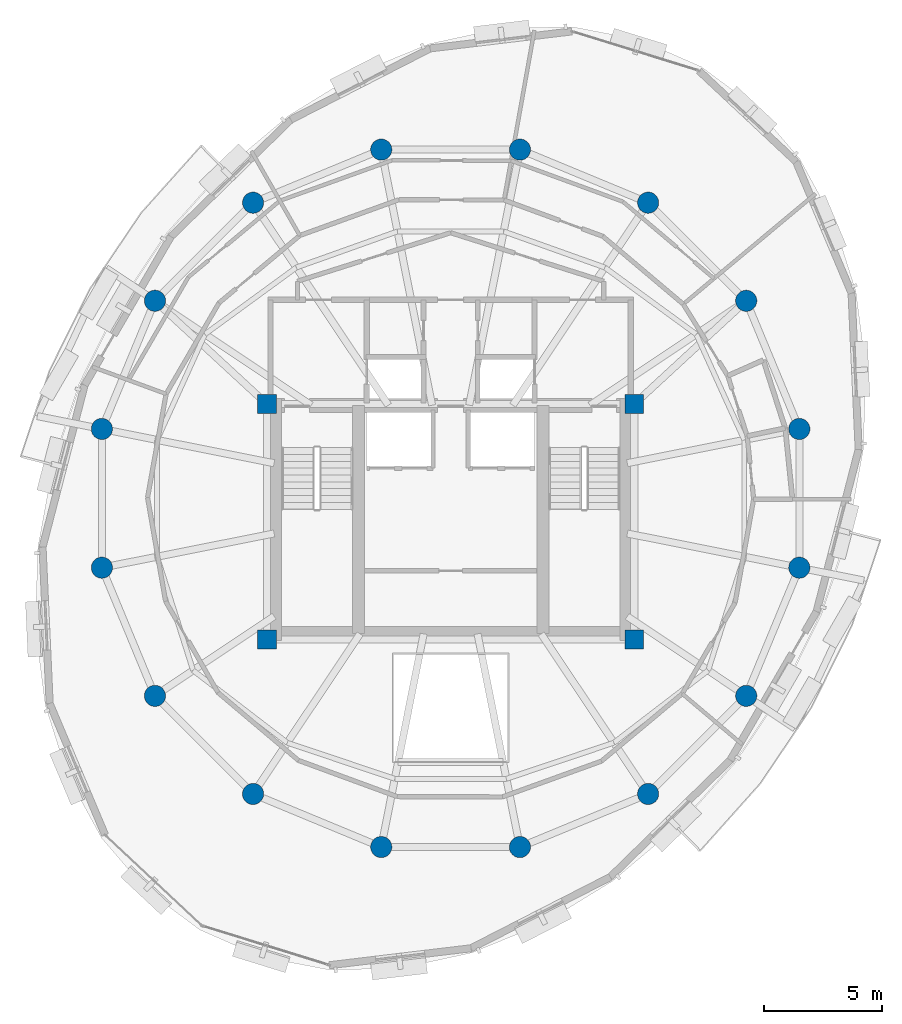
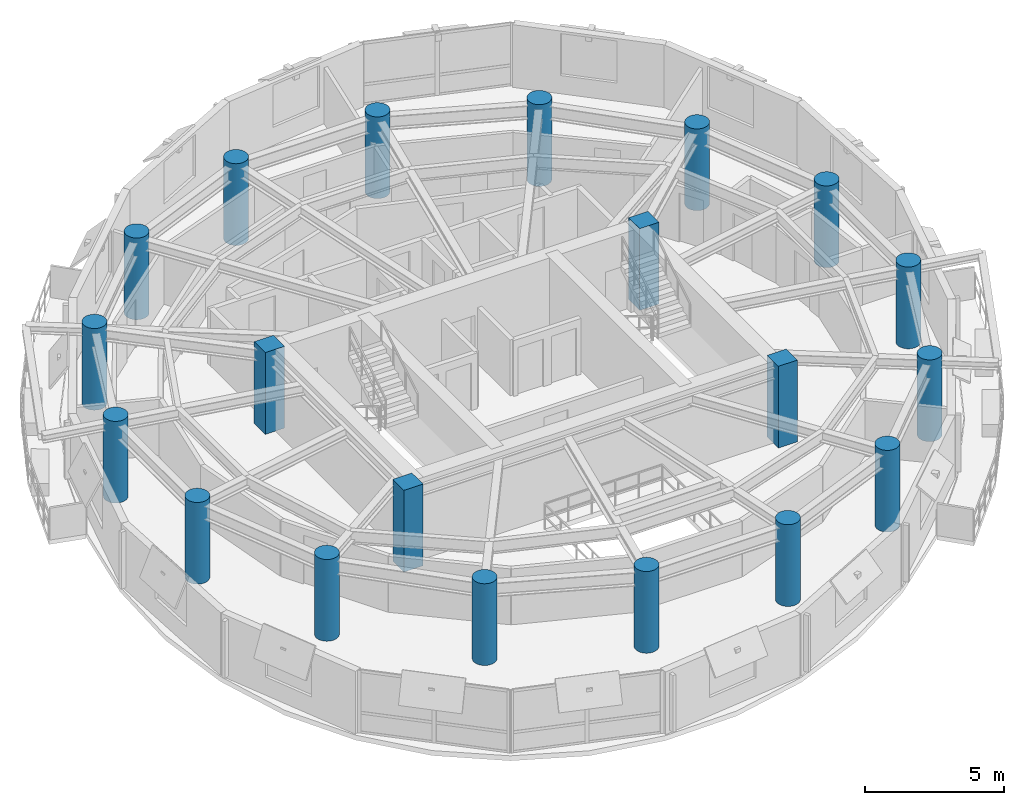
# One storey, part 1 of 11: 20 columns.
"""IFC4 building model written with IfcOpenShell, lengths in metres."""

from ifc_helpers import new_model, si_unit, direction, frame, origin, origin_2d, place, context, subcontext, project, spatial, rectangle, circle, extrude, material, material_profile, profile_set, type_object, element, save


model = new_model("IFC4")

# Units and contexts
model_context = context("Model", 3, precision=1e-05, world=origin(), true_north=direction((0.0, 1.0)))
body_context = subcontext(model_context, "Body", "Model", "MODEL_VIEW")
ifc_project = project(units=[si_unit("LENGTHUNIT", "METRE"), si_unit("AREAUNIT", "SQUARE_METRE"), si_unit("VOLUMEUNIT", "CUBIC_METRE"), si_unit("PLANEANGLEUNIT", "RADIAN"), si_unit("MASSUNIT", "GRAM", prefix="KILO"), si_unit("THERMODYNAMICTEMPERATUREUNIT", "KELVIN"), si_unit("POWERUNIT", "WATT")], contexts=[model_context])

# Site, building, storey
site_placement = place(None, origin())
site = spatial("IfcSite", under=ifc_project, at=site_placement, CompositionType="ELEMENT")
building_placement = place(site_placement, origin())
building = spatial("IfcBuilding", under=site, at=building_placement, Name="Ocrelia Relay Tower", CompositionType="ELEMENT")
storey_placement = place(building_placement, frame((0.0, 0.0, 277.199951171875)))
storey = spatial("IfcBuildingStorey", under=building, at=storey_placement, Name="L69", CompositionType="ELEMENT", Elevation=277.199951171875)

# Columns
ifc_material_1 = material(Name="Concrete C50/60", Category="concrete")
ifc_material_profile_1 = material_profile(ifc_material_1, circle(Radius=0.449951171875, at=origin_2d()), Name="RC-CIR-900")
ifc_profile_set_1 = profile_set([ifc_material_profile_1], Name="Concrete C50/60")
column_type_1 = type_object("IfcColumnType", Name="COL-CT-900", PredefinedType="COLUMN", material=ifc_profile_set_1)
for number, where, z_axis, x_axis, name in (
    (1, (48.809814453125, 28.94580078125, 0.0), (0.0, 0.0, 1.0), (1.0, 0.0, 0.0), "L69 Perimeter Ring Column C01"),
    (2, (46.55517578125, 34.38916015625, 0.0), (0.0, 0.0, 1.0), (1.0, 0.0, 0.0), "L69 Perimeter Ring Column C02"),
    (3, (42.38916015625, 38.55517578125, 0.0), (0.0, 0.0, 1.0), (1.0, 0.0, 0.0), "L69 Perimeter Ring Column C03"),
    (4, (36.94580078125, 40.809814453125, 0.0), (0.0, 0.0, 1.0), (1.0, 0.0, 0.0), "L69 Perimeter Ring Column C04"),
    (5, (31.05419921875, 40.809814453125, 0.0), (0.0, 0.0, 1.0), (1.0, 0.0, 0.0), "L69 Perimeter Ring Column C05"),
    (6, (25.61083984375, 38.55517578125, 0.0), (0.0, 0.0, 1.0), (1.0, 0.0, 0.0), "L69 Perimeter Ring Column C06"),
    (7, (21.44482421875, 34.38916015625, 0.0), (0.0, 0.0, 1.0), (1.0, 0.0, 0.0), "L69 Perimeter Ring Column C07"),
    (8, (19.190185546875, 28.94580078125, 0.0), (0.0, 0.0, 1.0), (1.0, 0.0, 0.0), "L69 Perimeter Ring Column C08"),
    (9, (19.190185546875, 23.05419921875, 0.0), (0.0, 0.0, 1.0), (1.0, 0.0, 0.0), "L69 Perimeter Ring Column C09"),
    (10, (21.44482421875, 17.61083984375, 0.0), (0.0, 0.0, 1.0), (1.0, 0.0, 0.0), "L69 Perimeter Ring Column C10"),
    (11, (25.61083984375, 13.44482421875, 0.0), (0.0, 0.0, 1.0), (1.0, 0.0, 0.0), "L69 Perimeter Ring Column C11"),
    (12, (31.05419921875, 11.190185546875, 0.0), (0.0, 0.0, 1.0), (1.0, 0.0, 0.0), "L69 Perimeter Ring Column C12"),
    (13, (36.94580078125, 11.190185546875, 0.0), (0.0, 0.0, 1.0), (1.0, 0.0, 0.0), "L69 Perimeter Ring Column C13"),
    (14, (42.38916015625, 13.44482421875, 0.0), (0.0, 0.0, 1.0), (1.0, 0.0, 0.0), "L69 Perimeter Ring Column C14"),
    (15, (46.55517578125, 17.61083984375, 0.0), (0.0, 0.0, 1.0), (1.0, 0.0, 0.0), "L69 Perimeter Ring Column C15"),
    (16, (48.809814453125, 23.05419921875, 0.0), (0.0, 0.0, 1.0), (1.0, 0.0, 0.0), "L69 Perimeter Ring Column C16"),
):
    element("IfcColumn", number, at=place(storey_placement, frame(where, z_axis=z_axis, x_axis=x_axis)), inside=storey, type_object=column_type_1, Name=name, PredefinedType="COLUMN", context=body_context, shape_type="SweptSolid", body=[
        extrude(circle(Radius=0.449951171875, at=origin_2d()), origin(), (0.0, 0.0, 1.0), 3.60009765625),
    ])
ifc_material_2 = material(Name="Concrete C60/75", Category="concrete")
ifc_material_profile_2 = material_profile(ifc_material_2, rectangle(XDim=0.800048828125, YDim=0.800048828125, at=origin_2d()), Name="RC-COL-800x800")
ifc_profile_set_2 = profile_set([ifc_material_profile_2], Name="Concrete C60/75")
column_type_2 = type_object("IfcColumnType", Name="COL-PILASTER-800", PredefinedType="PILASTER", material=ifc_profile_set_2)
for number, where, z_axis, x_axis, name in (
    (17, (26.199951171875, 20.0, 0.0), (0.0, 0.0, 1.0), (1.0, 0.0, 0.0), "L69 Core Corner Pilaster SW"),
    (18, (41.800048828125, 20.0, 0.0), (0.0, 0.0, 1.0), (1.0, 0.0, 0.0), "L69 Core Corner Pilaster SE"),
    (19, (26.199951171875, 30.0, 0.0), (0.0, 0.0, 1.0), (1.0, 0.0, 0.0), "L69 Core Corner Pilaster NW"),
    (20, (41.800048828125, 30.0, 0.0), (0.0, 0.0, 1.0), (1.0, 0.0, 0.0), "L69 Core Corner Pilaster NE"),
):
    element("IfcColumn", number, at=place(storey_placement, frame(where, z_axis=z_axis, x_axis=x_axis)), inside=storey, type_object=column_type_2, Name=name, PredefinedType="PILASTER", context=body_context, shape_type="SweptSolid", body=[
        extrude(rectangle(XDim=0.800048828125, YDim=0.800048828125, at=origin_2d()), origin(), (0.0, 0.0, 1.0), 3.60009765625),
    ])

save(model, "model.ifc")
